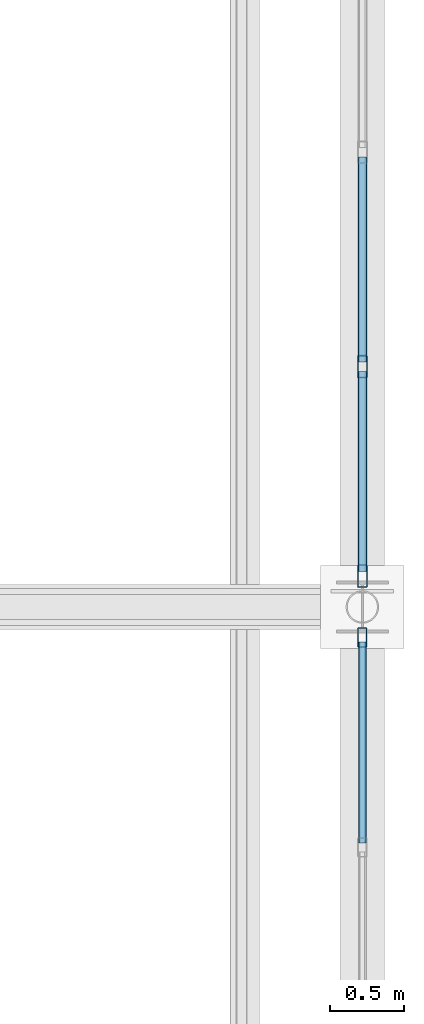
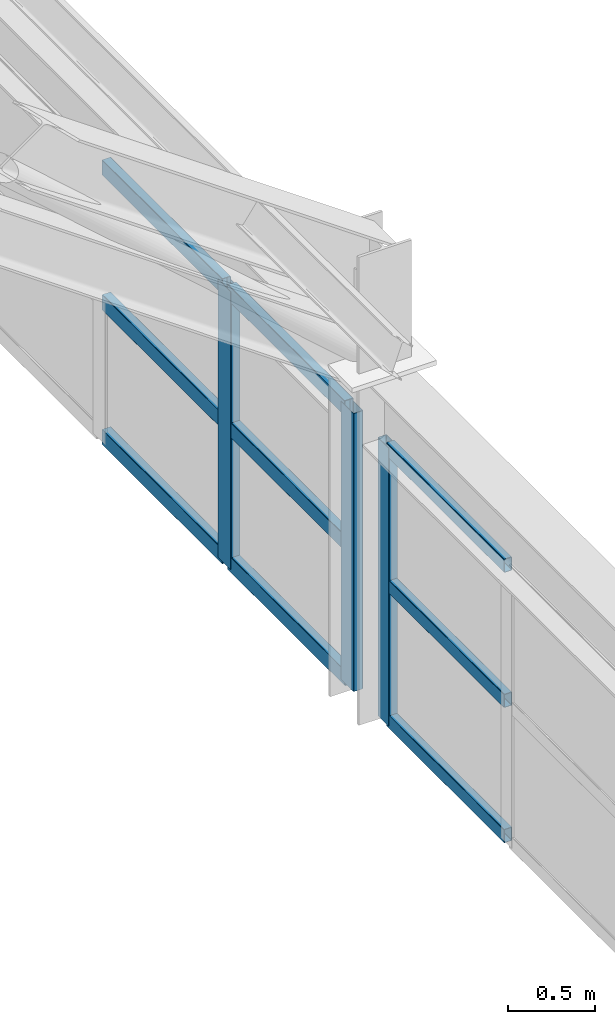
# One storey, part 60 of 121: 12 members, 2 elements without a shape of their own.
"""IFC4 building model written with IfcOpenShell, lengths in metres."""

from ifc_helpers import new_model, si_unit, direction, frame, origin, origin_2d, place, context, subcontext, project, spatial, hollow_rectangle, extrude, material, material_profile, profile_set, type_object, element, aggregate, save


model = new_model("IFC4")

# Units and contexts
model_context = context("Model", 3, precision=1e-05, world=origin(), true_north=direction((0.0, 1.0)))
body_context = subcontext(model_context, "Body", "Model", "MODEL_VIEW")
ifc_project = project(units=[si_unit("LENGTHUNIT", "METRE"), si_unit("AREAUNIT", "SQUARE_METRE"), si_unit("VOLUMEUNIT", "CUBIC_METRE"), si_unit("PLANEANGLEUNIT", "RADIAN"), si_unit("MASSUNIT", "GRAM", prefix="KILO")], contexts=[model_context])

# Site, building, storey
site_placement = place(None, origin())
site = spatial("IfcSite", under=ifc_project, at=site_placement, CompositionType="ELEMENT")
building_placement = place(site_placement, origin())
building = spatial("IfcBuilding", under=site, at=building_placement, Name="Canglan Escarpment Cableway Terminal", CompositionType="ELEMENT")
storey_placement = place(building_placement, frame((0.0, 0.0, 24.60009765625)))
storey = spatial("IfcBuildingStorey", under=building, at=storey_placement, Name="L05", CompositionType="ELEMENT", Elevation=24.60009765625)

# Curtain wall, member
ifc_material_1 = material(Name="Anodized bronze aluminium and Low-E double glazing", Category="aluminium")
curtain_wall_type = type_object("IfcCurtainWallType", Name="CW-BAY-8650x1950", PredefinedType="NOTDEFINED", material=ifc_material_1)
curtain_wall_1_placement = place(storey_placement, origin())
curtain_wall_1 = element("IfcCurtainWall", 1, at=curtain_wall_1_placement, inside=storey, type_object=curtain_wall_type, Name="Classical bay-between-piers glazed curtain wall CW-66", PredefinedType="NOTDEFINED")
ifc_material_2 = material(Name="Thermally broken anodized aluminium 6063-T6", Category="aluminium")
ifc_material_profile_1 = material_profile(ifc_material_2, hollow_rectangle(XDim=0.06005859375, YDim=0.1298828125, WallThickness=0.0029296875, InnerFilletRadius=0.0029296875, OuterFilletRadius=0.006103515625, at=origin_2d()), Name="ALU-MULL 60x130x3")
ifc_profile_set_1 = profile_set([ifc_material_profile_1], Name="Thermally broken anodized aluminium 6063-T6")
member_type_1 = type_object("IfcMemberType", Name="CWM-01", PredefinedType="MULLION", material=ifc_profile_set_1)
member_1_placement = place(storey_placement, frame((166.39990234375, 87.794921875, 0.0), z_axis=(0.0, 0.0, 1.0), x_axis=(-1.0, 0.0, 0.0)))
member_1 = element("IfcMember", 2, at=member_1_placement, type_object=member_type_1, Name="CW-66 mullion 7", PredefinedType="MULLION", context=body_context, shape_type="SweptSolid", body=[
    extrude(hollow_rectangle(XDim=0.06005859375, YDim=0.1298828125, WallThickness=0.0029296875, InnerFilletRadius=0.0029296875, OuterFilletRadius=0.006103515625, at=origin_2d()), origin(), (0.0, 0.0, 1.0), 1.949951171875),
])

# Curtain wall, members
curtain_wall_2_placement = place(storey_placement, origin())
curtain_wall_2 = element("IfcCurtainWall", 3, at=curtain_wall_2_placement, inside=storey, type_object=curtain_wall_type, Name="Classical bay-between-piers glazed curtain wall CW-66", PredefinedType="NOTDEFINED")
ifc_material_profile_2 = material_profile(ifc_material_2, hollow_rectangle(XDim=0.06494140625, YDim=0.14990234375, WallThickness=0.00341796875, InnerFilletRadius=0.00341796875, OuterFilletRadius=0.007080078125, at=origin_2d()), Name="ALU-MULL 65x150x3.5")
ifc_profile_set_2 = profile_set([ifc_material_profile_2], Name="Thermally broken anodized aluminium 6063-T6")
member_type_2 = type_object("IfcMemberType", Name="CWM-02", PredefinedType="MULLION", material=ifc_profile_set_2)
member_2_placement = place(storey_placement, frame((166.39990234375, 88.20751953125, 0.0), z_axis=(0.0, 0.0, 1.0), x_axis=(-1.0, 0.0, 0.0)))
member_2 = element("IfcMember", 4, at=member_2_placement, type_object=member_type_2, Name="CW-66 mullion 1", PredefinedType="MULLION", context=body_context, shape_type="SweptSolid", body=[
    extrude(hollow_rectangle(XDim=0.06494140625, YDim=0.14990234375, WallThickness=0.00341796875, InnerFilletRadius=0.00341796875, OuterFilletRadius=0.007080078125, at=origin_2d()), origin(), (0.0, 0.0, 1.0), 1.949951171875),
])
member_3_placement = place(storey_placement, frame((166.39990234375, 89.61669921875, 0.0), z_axis=(0.0, 0.0, 1.0), x_axis=(-1.0, 0.0, 0.0)))
member_3 = element("IfcMember", 5, at=member_3_placement, type_object=member_type_2, Name="CW-66 mullion 2", PredefinedType="MULLION", context=body_context, shape_type="SweptSolid", body=[
    extrude(hollow_rectangle(XDim=0.06494140625, YDim=0.14990234375, WallThickness=0.00341796875, InnerFilletRadius=0.00341796875, OuterFilletRadius=0.007080078125, at=origin_2d()), origin(), (0.0, 0.0, 1.0), 1.949951171875),
])

# Member
ifc_material_profile_3 = material_profile(ifc_material_2, hollow_rectangle(XDim=0.054931640625, YDim=0.094970703125, WallThickness=0.0029296875, InnerFilletRadius=0.0029296875, OuterFilletRadius=0.006103515625, at=origin_2d()), Name="ALU-TRAN 55x95x3")
ifc_profile_set_3 = profile_set([ifc_material_profile_3], Name="Thermally broken anodized aluminium 6063-T6")
member_type_3 = type_object("IfcMemberType", Name="CWT-01", PredefinedType="USERDEFINED", material=ifc_profile_set_3)
member_4_placement = place(storey_placement, frame((166.39990234375, 86.413330078125, 0.02734375), z_axis=(0.0, 1.0, 0.0), x_axis=(-1.0, 0.0, 0.0)))
member_4 = element("IfcMember", 6, at=member_4_placement, type_object=member_type_3, Name="CW-66 transom 6.1", ObjectType="TRANSOM", PredefinedType="USERDEFINED", context=body_context, shape_type="SweptSolid", body=[
    extrude(hollow_rectangle(XDim=0.054931640625, YDim=0.094970703125, WallThickness=0.0029296875, InnerFilletRadius=0.0029296875, OuterFilletRadius=0.006103515625, at=origin_2d()), origin(), (0.0, 0.0, 1.0), 1.3515625),
])

member_5_placement = place(storey_placement, frame((166.39990234375, 86.413330078125, 0.974853515625), z_axis=(0.0, 1.0, 0.0), x_axis=(-1.0, 0.0, 0.0)))
member_5 = element("IfcMember", 7, at=member_5_placement, type_object=member_type_3, Name="CW-66 transom 6.2", ObjectType="TRANSOM", PredefinedType="USERDEFINED", context=body_context, shape_type="SweptSolid", body=[
    extrude(hollow_rectangle(XDim=0.054931640625, YDim=0.094970703125, WallThickness=0.0029296875, InnerFilletRadius=0.0029296875, OuterFilletRadius=0.006103515625, at=origin_2d()), origin(), (0.0, 0.0, 1.0), 1.3515625),
])

member_6_placement = place(storey_placement, frame((166.39990234375, 86.413330078125, 1.92236328125), z_axis=(0.0, 1.0, 0.0), x_axis=(-1.0, 0.0, 0.0)))
member_6 = element("IfcMember", 8, at=member_6_placement, type_object=member_type_3, Name="CW-66 transom 6.3", ObjectType="TRANSOM", PredefinedType="USERDEFINED", context=body_context, shape_type="SweptSolid", body=[
    extrude(hollow_rectangle(XDim=0.054931640625, YDim=0.094970703125, WallThickness=0.0029296875, InnerFilletRadius=0.0029296875, OuterFilletRadius=0.006103515625, at=origin_2d()), origin(), (0.0, 0.0, 1.0), 1.3515625),
])

aggregate(curtain_wall_1, [member_1, member_4, member_5, member_6])

ifc_material_profile_4 = material_profile(ifc_material_2, hollow_rectangle(XDim=0.06005859375, YDim=0.110107421875, WallThickness=0.0029296875, InnerFilletRadius=0.0029296875, OuterFilletRadius=0.006103515625, at=origin_2d()), Name="ALU-TRAN 60x110x3")
ifc_profile_set_4 = profile_set([ifc_material_profile_4], Name="Thermally broken anodized aluminium 6063-T6")
member_type_4 = type_object("IfcMemberType", Name="CWT-02", PredefinedType="USERDEFINED", material=ifc_profile_set_4)
member_7_placement = place(storey_placement, frame((166.39990234375, 88.239990234375, 0.02978515625), z_axis=(0.0, 1.0, 0.0), x_axis=(-1.0, 0.0, 0.0)))
member_7 = element("IfcMember", 9, at=member_7_placement, type_object=member_type_4, Name="CW-66 transom 1.1", ObjectType="TRANSOM", PredefinedType="USERDEFINED", context=body_context, shape_type="SweptSolid", body=[
    extrude(hollow_rectangle(XDim=0.06005859375, YDim=0.110107421875, WallThickness=0.0029296875, InnerFilletRadius=0.0029296875, OuterFilletRadius=0.006103515625, at=origin_2d()), origin(), (0.0, 0.0, 1.0), 1.34423828125),
])

member_8_placement = place(storey_placement, frame((166.39990234375, 88.239990234375, 0.974853515625), z_axis=(0.0, 1.0, 0.0), x_axis=(-1.0, 0.0, 0.0)))
member_8 = element("IfcMember", 10, at=member_8_placement, type_object=member_type_4, Name="CW-66 transom 1.2", ObjectType="TRANSOM", PredefinedType="USERDEFINED", context=body_context, shape_type="SweptSolid", body=[
    extrude(hollow_rectangle(XDim=0.06005859375, YDim=0.110107421875, WallThickness=0.0029296875, InnerFilletRadius=0.0029296875, OuterFilletRadius=0.006103515625, at=origin_2d()), origin(), (0.0, 0.0, 1.0), 1.34423828125),
])

member_9_placement = place(storey_placement, frame((166.39990234375, 88.239990234375, 1.919921875), z_axis=(0.0, 1.0, 0.0), x_axis=(-1.0, 0.0, 0.0)))
member_9 = element("IfcMember", 11, at=member_9_placement, type_object=member_type_4, Name="CW-66 transom 1.3", ObjectType="TRANSOM", PredefinedType="USERDEFINED", context=body_context, shape_type="SweptSolid", body=[
    extrude(hollow_rectangle(XDim=0.06005859375, YDim=0.110107421875, WallThickness=0.0029296875, InnerFilletRadius=0.0029296875, OuterFilletRadius=0.006103515625, at=origin_2d()), origin(), (0.0, 0.0, 1.0), 1.34423828125),
])

member_10_placement = place(storey_placement, frame((166.39990234375, 89.649169921875, 0.02978515625), z_axis=(0.0, 1.0, 0.0), x_axis=(-1.0, 0.0, 0.0)))
member_10 = element("IfcMember", 12, at=member_10_placement, type_object=member_type_4, Name="CW-66 transom 2.1", ObjectType="TRANSOM", PredefinedType="USERDEFINED", context=body_context, shape_type="SweptSolid", body=[
    extrude(hollow_rectangle(XDim=0.06005859375, YDim=0.110107421875, WallThickness=0.0029296875, InnerFilletRadius=0.0029296875, OuterFilletRadius=0.006103515625, at=origin_2d()), origin(), (0.0, 0.0, 1.0), 1.376708984375),
])

member_11_placement = place(storey_placement, frame((166.39990234375, 89.649169921875, 0.974853515625), z_axis=(0.0, 1.0, 0.0), x_axis=(-1.0, 0.0, 0.0)))
member_11 = element("IfcMember", 13, at=member_11_placement, type_object=member_type_4, Name="CW-66 transom 2.2", ObjectType="TRANSOM", PredefinedType="USERDEFINED", context=body_context, shape_type="SweptSolid", body=[
    extrude(hollow_rectangle(XDim=0.06005859375, YDim=0.110107421875, WallThickness=0.0029296875, InnerFilletRadius=0.0029296875, OuterFilletRadius=0.006103515625, at=origin_2d()), origin(), (0.0, 0.0, 1.0), 1.376708984375),
])

member_12_placement = place(storey_placement, frame((166.39990234375, 89.649169921875, 1.919921875), z_axis=(0.0, 1.0, 0.0), x_axis=(-1.0, 0.0, 0.0)))
member_12 = element("IfcMember", 14, at=member_12_placement, type_object=member_type_4, Name="CW-66 transom 2.3", ObjectType="TRANSOM", PredefinedType="USERDEFINED", context=body_context, shape_type="SweptSolid", body=[
    extrude(hollow_rectangle(XDim=0.06005859375, YDim=0.110107421875, WallThickness=0.0029296875, InnerFilletRadius=0.0029296875, OuterFilletRadius=0.006103515625, at=origin_2d()), origin(), (0.0, 0.0, 1.0), 1.376708984375),
])

aggregate(curtain_wall_2, [member_2, member_3, member_7, member_8, member_9, member_10, member_11, member_12])

save(model, "model.ifc")
